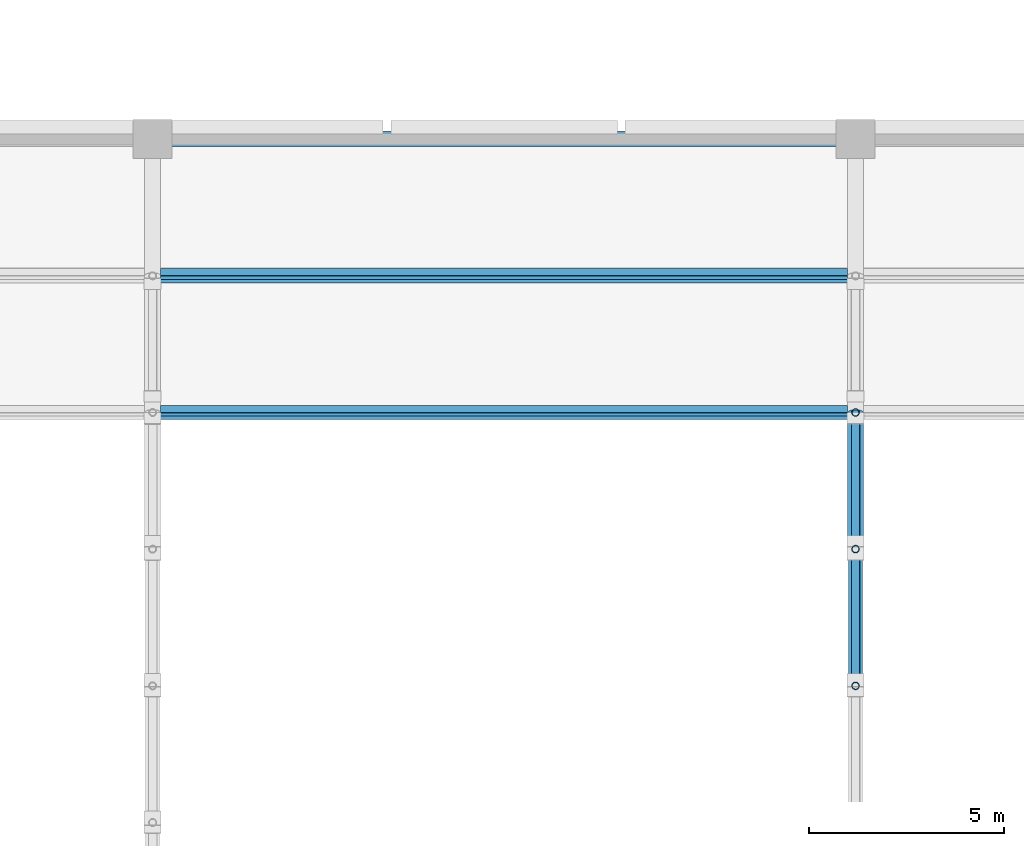
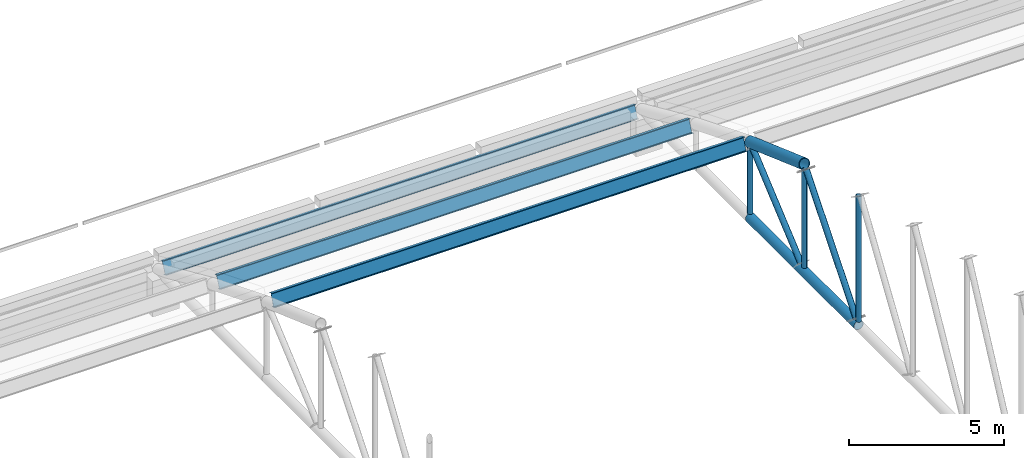
# One storey, part 80 of 196: 10 members.
"""IFC4 building model written with IfcOpenShell, lengths in metres."""

from ifc_helpers import new_model, si_unit, direction, frame, origin, origin_2d, place, context, subcontext, project, spatial, hollow_circle, i_section, extrude, material, material_profile, profile_set, type_object, element, save


model = new_model("IFC4")

# Units and contexts
model_context = context("Model", 3, precision=1e-05, world=origin(), true_north=direction((0.0, 1.0)))
body_context = subcontext(model_context, "Body", "Model", "MODEL_VIEW")
ifc_project = project(units=[si_unit("LENGTHUNIT", "METRE"), si_unit("AREAUNIT", "SQUARE_METRE"), si_unit("VOLUMEUNIT", "CUBIC_METRE"), si_unit("PLANEANGLEUNIT", "RADIAN"), si_unit("MASSUNIT", "GRAM", prefix="KILO")], contexts=[model_context])

# Site, building, storey
site_placement = place(None, origin())
site = spatial("IfcSite", under=ifc_project, at=site_placement, CompositionType="ELEMENT")
building_placement = place(site_placement, origin())
building = spatial("IfcBuilding", under=site, at=building_placement, Name="Okhra Congress Centre", CompositionType="ELEMENT")
storey_placement = place(building_placement, frame((0.0, 0.0, 12.0)))
storey = spatial("IfcBuildingStorey", under=building, at=storey_placement, Name="L02", CompositionType="ELEMENT", Elevation=12.0)

# Members
ifc_material_1 = material(Name="Steel S355J2H", Category="steel")
ifc_material_profile_1 = material_profile(ifc_material_1, hollow_circle(Radius=0.096923828125, WallThickness=0.012451171875, at=origin_2d()), Name="CHS 193.7x12.5")
ifc_profile_set_1 = profile_set([ifc_material_profile_1], Name="Steel S355J2H")
member_type_1 = type_object("IfcMemberType", Name="CHS 193.7x12.5", PredefinedType="POST", material=ifc_profile_set_1)
member_1_placement = place(storey_placement, frame((118.0, 202.0, 1.577880859375), z_axis=(0.0, 0.0, 1.0), x_axis=(1.0, 0.0, 0.0)))
element("IfcMember", 1, at=member_1_placement, inside=storey, type_object=member_type_1, Name="EH.MEM.L02.T6-VER-20", PredefinedType="POST", context=body_context, shape_type="SweptSolid", body=[
    extrude(hollow_circle(Radius=0.096923828125, WallThickness=0.012451171875, at=origin_2d()), origin(), (0.0, 0.0, 1.0), 4.947998046875),
])
member_2_placement = place(storey_placement, frame((118.0, 205.5, 1.577880859375), z_axis=(0.0, 0.0, 1.0), x_axis=(1.0, 0.0, 0.0)))
element("IfcMember", 2, at=member_2_placement, inside=storey, type_object=member_type_1, Name="EH.MEM.L02.T6-VER-21", PredefinedType="POST", context=body_context, shape_type="SweptSolid", body=[
    extrude(hollow_circle(Radius=0.096923828125, WallThickness=0.012451171875, at=origin_2d()), origin(), (0.0, 0.0, 1.0), 3.836669921875),
])
member_3_placement = place(storey_placement, frame((118.0, 209.0, 1.577880859375), z_axis=(0.0, 0.0, 1.0), x_axis=(1.0, 0.0, 0.0)))
element("IfcMember", 3, at=member_3_placement, inside=storey, type_object=member_type_1, Name="EH.MEM.L02.T6-VER-22", PredefinedType="POST", context=body_context, shape_type="SweptSolid", body=[
    extrude(hollow_circle(Radius=0.096923828125, WallThickness=0.012451171875, at=origin_2d()), origin(), (0.0, 0.0, 1.0), 2.578857421875),
])
ifc_material_profile_2 = material_profile(ifc_material_1, hollow_circle(Radius=0.109619140625, WallThickness=0.012451171875, at=origin_2d()), Name="CHS 219.1x12.5")
ifc_profile_set_2 = profile_set([ifc_material_profile_2], Name="Steel S355J2H")
member_type_2 = type_object("IfcMemberType", Name="CHS 219.1x12.5", PredefinedType="BRACE", material=ifc_profile_set_2)
member_4_placement = place(storey_placement, frame((118.0, 205.373779296875, 5.476318359375), z_axis=(0.0, -0.637599309049, -0.770368172435), x_axis=(1.0, 0.0, 0.0)))
element("IfcMember", 4, at=member_4_placement, inside=storey, type_object=member_type_2, Name="EH.MEM.L02.T6-DIA-20", PredefinedType="BRACE", context=body_context, shape_type="SweptSolid", body=[
    extrude(hollow_circle(Radius=0.109619140625, WallThickness=0.012451171875, at=origin_2d()), origin(), (0.0, 0.0, 1.0), 5.060546875),
])
member_5_placement = place(storey_placement, frame((118.0, 208.8388671875, 4.237060546875), z_axis=(0.0, -0.762061047132, -0.64750518179), x_axis=(1.0, 0.0, 0.0)))
element("IfcMember", 5, at=member_5_placement, inside=storey, type_object=member_type_2, Name="EH.MEM.L02.T6-DIA-21", PredefinedType="BRACE", context=body_context, shape_type="SweptSolid", body=[
    extrude(hollow_circle(Radius=0.109619140625, WallThickness=0.012451171875, at=origin_2d()), origin(), (0.0, 0.0, 1.0), 4.106689453125),
])
ifc_material_profile_3 = material_profile(ifc_material_1, hollow_circle(Radius=0.177734375, WallThickness=0.01611328125, at=origin_2d()), Name="CHS 355.6x16.0")
ifc_profile_set_3 = profile_set([ifc_material_profile_3], Name="Steel S355J2H")
member_type_3 = type_object("IfcMemberType", Name="CHS 355.6x16.0", PredefinedType="CHORD", material=ifc_profile_set_3)
member_6_placement = place(storey_placement, frame((118.0, 202.0, 1.39990234375), z_axis=(0.0, 1.0, 0.0), x_axis=(-1.0, 0.0, 0.0)))
element("IfcMember", 6, at=member_6_placement, inside=storey, type_object=member_type_3, Name="EH.MEM.L02.T6-BOT-11", PredefinedType="CHORD", context=body_context, shape_type="SweptSolid", body=[
    extrude(hollow_circle(Radius=0.177734375, WallThickness=0.01611328125, at=origin_2d()), origin(), (0.0, 0.0, 1.0), 7.0),
])
ifc_material_profile_4 = material_profile(ifc_material_1, hollow_circle(Radius=0.203125, WallThickness=0.02490234375, at=origin_2d()), Name="CHS 406.4x25.0")
ifc_profile_set_4 = profile_set([ifc_material_profile_4], Name="Steel S355J2H")
member_type_4 = type_object("IfcMemberType", Name="CHS 406.4x25.0", PredefinedType="CHORD", material=ifc_profile_set_4)
member_7_placement = place(storey_placement, frame((118.0, 205.5, 5.629150390625), z_axis=(0.0, 0.941304373418, -0.337558997192), x_axis=(-1.0, 0.0, 0.0)))
element("IfcMember", 7, at=member_7_placement, inside=storey, type_object=member_type_4, Name="EH.MEM.L02.T6-TOP-22", PredefinedType="CHORD", context=body_context, shape_type="SweptSolid", body=[
    extrude(hollow_circle(Radius=0.203125, WallThickness=0.02490234375, at=origin_2d()), origin(), (0.0, 0.0, 1.0), 3.71826171875),
])
ifc_material_2 = material(Name="Steel S355J2", Category="steel")
ifc_material_profile_5 = material_profile(ifc_material_2, i_section(OverallWidth=0.199951171875, OverallDepth=0.5, WebThickness=0.01025390625, FlangeThickness=0.01611328125, at=origin_2d()), Name="IPE 500")
ifc_profile_set_5 = profile_set([ifc_material_profile_5], Name="Steel S355J2")
member_type_5 = type_object("IfcMemberType", Name="IPE 500", PredefinedType="PURLIN", material=ifc_profile_set_5)
for number, where, z_axis, x_axis, name in (
    (8, (100.203125, 209.0, 4.3740234375), (1.0, 0.0, 0.0), (0.0, 0.934732963292, -0.355350935465), "EH.MEM.L02.PU5-23"),
    (9, (100.203125, 212.5, 2.966796875), (1.0, 0.0, 0.0), (0.0, 0.920437204489, -0.390890461118), "EH.MEM.L02.PU5-24"),
    (10, (100.203125, 216.0, 1.39990234375), (1.0, 0.0, 0.0), (0.0, 0.912721046606, -0.40858327313), "EH.MEM.L02.PU5-25"),
):
    element("IfcMember", number, at=place(storey_placement, frame(where, z_axis=z_axis, x_axis=x_axis)), inside=storey, type_object=member_type_5, Name=name, PredefinedType="PURLIN", context=body_context, shape_type="SweptSolid", body=[
        extrude(i_section(OverallWidth=0.199951171875, OverallDepth=0.5, WebThickness=0.01025390625, FlangeThickness=0.01611328125, at=origin_2d()), origin(), (0.0, 0.0, 1.0), 17.59375),
    ])

save(model, "model.ifc")
